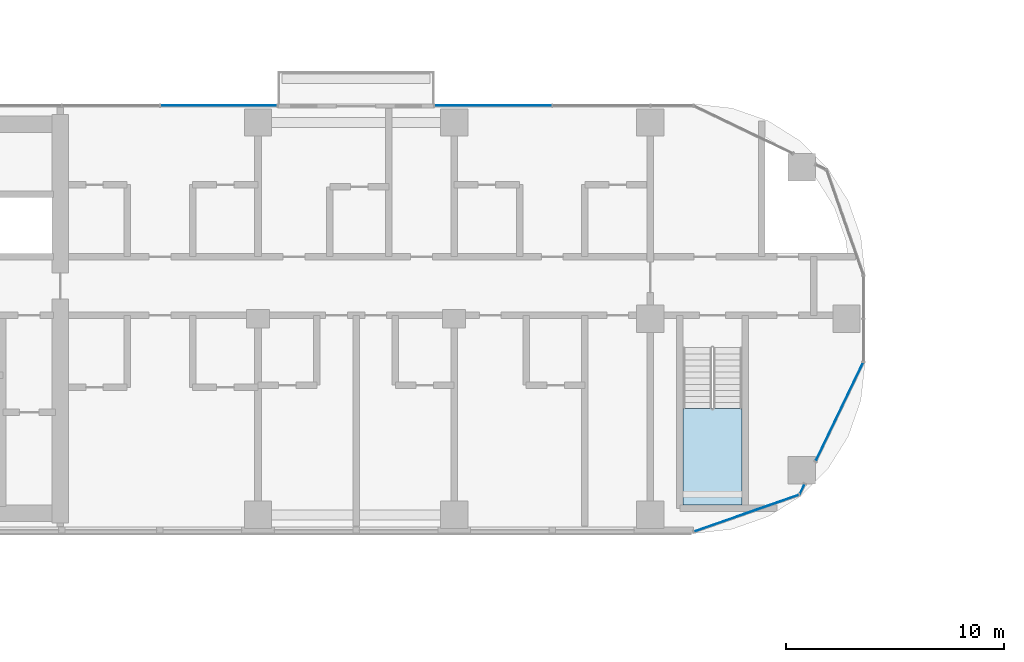
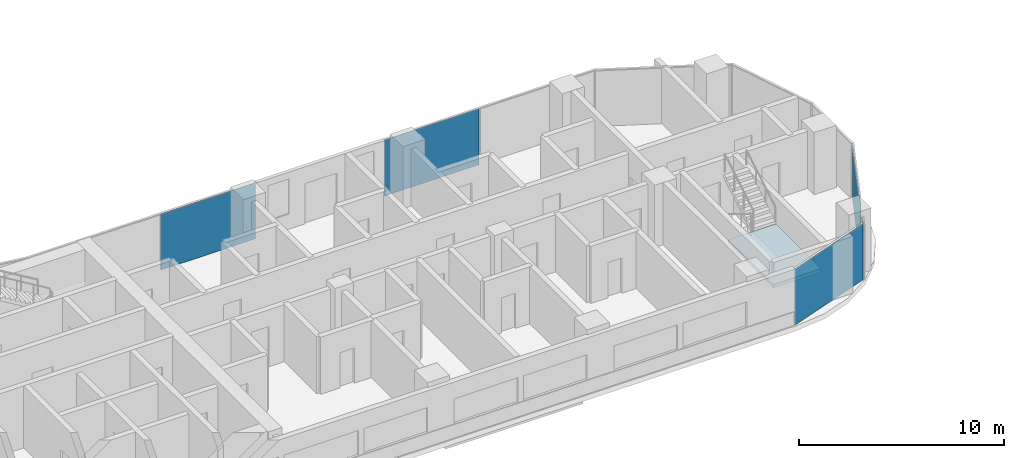
# One storey, part 13 of 35: 5 plates, 1 slab, 5 elements without a shape of their own.
"""IFC4 building model written with IfcOpenShell, lengths in metres."""

from ifc_helpers import new_model, si_unit, direction, frame, origin, origin_2d, place, context, subcontext, project, spatial, polyline, rectangle, outline, extrude, material, layer, layer_set, type_object, element, aggregate, save


model = new_model("IFC4")

# Units and contexts
model_context = context("Model", 3, precision=1e-05, world=origin(), true_north=direction((0.0, 1.0)))
body_context = subcontext(model_context, "Body", "Model", "MODEL_VIEW")
ifc_project = project(units=[si_unit("LENGTHUNIT", "METRE"), si_unit("AREAUNIT", "SQUARE_METRE"), si_unit("VOLUMEUNIT", "CUBIC_METRE"), si_unit("PLANEANGLEUNIT", "RADIAN"), si_unit("MASSUNIT", "GRAM", prefix="KILO")], contexts=[model_context])

# Site, building, storey
site_placement = place(None, origin())
site = spatial("IfcSite", under=ifc_project, at=site_placement, CompositionType="ELEMENT")
building_placement = place(site_placement, origin())
building = spatial("IfcBuilding", under=site, at=building_placement, Name="Ogive Portal Towers", CompositionType="ELEMENT")
storey_placement = place(building_placement, frame((0.0, 0.0, 90.800048828125)))
storey = spatial("IfcBuildingStorey", under=building, at=storey_placement, Name="L21", CompositionType="ELEMENT", Elevation=90.800048828125)

# Curtain wall, plate
ifc_material_1 = material(Name="Glass, clear low-iron insulated glazing", Category="glass")
curtain_wall_type = type_object("IfcCurtainWallType", Name="CW FRONT RIBBON 4500", PredefinedType="NOTDEFINED", material=ifc_material_1)
curtain_wall_1_placement = place(storey_placement, origin())
curtain_wall_1 = element("IfcCurtainWall", 1, at=curtain_wall_1_placement, inside=storey, type_object=curtain_wall_type, Name="A:L21:f11:cw0", PredefinedType="NOTDEFINED")
ifc_layer_1 = layer(ifc_material_1, 0.028076171875)
ifc_layer_set_1 = layer_set([ifc_layer_1], Name="CW PANEL IGU 28")
plate_type = type_object("IfcPlateType", Name="CW PANEL IGU 28", PredefinedType="CURTAIN_PANEL", material=ifc_layer_set_1)
plate_1_placement = place(storey_placement, frame((78.293212890625, 40.27490234375, 0.0), z_axis=(0.0, 0.0, 1.0), x_axis=(-1.0, 0.0, 0.0)))
plate_1 = element("IfcPlate", 2, at=plate_1_placement, type_object=plate_type, Name="panel", PredefinedType="CURTAIN_PANEL", context=body_context, shape_type="SweptSolid", body=[
    extrude(rectangle(XDim=5.353759765625, YDim=0.028076171875, at=origin_2d()), origin(), (0.0, 0.0, 1.0), 3.340087890625),
])
aggregate(curtain_wall_1, [plate_1])

curtain_wall_2_placement = place(storey_placement, origin())
curtain_wall_2 = element("IfcCurtainWall", 3, at=curtain_wall_2_placement, inside=storey, type_object=curtain_wall_type, Name="A:L21:f11:cw1", PredefinedType="NOTDEFINED")
plate_2_placement = place(storey_placement, frame((65.6943359375, 40.27490234375, 0.0), z_axis=(0.0, 0.0, 1.0), x_axis=(-1.0, 0.0, 0.0)))
plate_2 = element("IfcPlate", 4, at=plate_2_placement, type_object=plate_type, Name="panel", PredefinedType="CURTAIN_PANEL", context=body_context, shape_type="SweptSolid", body=[
    extrude(rectangle(XDim=5.328857421875, YDim=0.028076171875, at=origin_2d()), origin(), (0.0, 0.0, 1.0), 3.340087890625),
])
aggregate(curtain_wall_2, [plate_2])

# Curtain wall, plates
curtain_wall_3_placement = place(storey_placement, origin())
curtain_wall_3 = element("IfcCurtainWall", 5, at=curtain_wall_3_placement, inside=storey, type_object=curtain_wall_type, Name="A:L21:f06:cwa~0", PredefinedType="NOTDEFINED")
plate_3_placement = place(storey_placement, frame((89.9130859375, 21.57421875, 0.0), z_axis=(0.0, 0.0, 1.0), x_axis=(0.943883330307, 0.33027906196, 0.0)))
plate_3 = element("IfcPlate", 6, at=plate_3_placement, type_object=plate_type, Name="panel", PredefinedType="CURTAIN_PANEL", context=body_context, shape_type="SweptSolid", body=[
    extrude(rectangle(XDim=5.08203125, YDim=0.028076171875, at=origin_2d()), origin(), (0.0, 0.0, 1.0), 3.340087890625),
])
plate_4_placement = place(storey_placement, frame((92.460693359375, 22.674072265625, 0.0), z_axis=(0.0, 0.0, 1.0), x_axis=(0.433883739113, 0.900968867905, 0.0)))
plate_4 = element("IfcPlate", 7, at=plate_4_placement, type_object=plate_type, Name="panel", PredefinedType="CURTAIN_PANEL", context=body_context, shape_type="SweptSolid", body=[
    extrude(rectangle(XDim=0.496826171875, YDim=0.028076171875, at=origin_2d()), origin(), (0.0, 0.0, 1.0), 3.340087890625),
])
aggregate(curtain_wall_3, [plate_3, plate_4])

# Curtain wall, plate
curtain_wall_4_placement = place(storey_placement, origin())
curtain_wall_4 = element("IfcCurtainWall", 8, at=curtain_wall_4_placement, inside=storey, type_object=curtain_wall_type, Name="A:L21:f06:cwa~1", PredefinedType="NOTDEFINED")
plate_5_placement = place(storey_placement, frame((94.175048828125, 26.234130859375, 0.0), z_axis=(0.0, 0.0, 1.0), x_axis=(0.433883739113, 0.900968867905, 0.0)))
plate_5 = element("IfcPlate", 9, at=plate_5_placement, type_object=plate_type, Name="panel", PredefinedType="CURTAIN_PANEL", context=body_context, shape_type="SweptSolid", body=[
    extrude(rectangle(XDim=5.010498046875, YDim=0.028076171875, at=origin_2d()), origin(), (0.0, 0.0, 1.0), 3.340087890625),
])
aggregate(curtain_wall_4, [plate_5])

# Stair, slab
ifc_material_2 = material(Name="Concrete C40/50", Category="concrete")
stair_type = type_object("IfcStairType", Name="INT-STAIR", PredefinedType="HALF_TURN_STAIR", material=ifc_material_2)
stair_placement = place(storey_placement, origin())
stair = element("IfcStair", 10, at=stair_placement, inside=storey, type_object=stair_type, Name="L21 Exit Stair ST-A4", PredefinedType="HALF_TURN_STAIR")
ifc_layer_2 = layer(ifc_material_2, 0.199951171875)
ifc_layer_set_2 = layer_set([ifc_layer_2], Name="INT-LANDING")
slab_type = type_object("IfcSlabType", Name="INT-LANDING", PredefinedType="LANDING", material=ifc_layer_set_2)
slab_placement = place(storey_placement, frame((0.0, 0.0, 1.64990234375)))
slab = element("IfcSlab", 11, at=slab_placement, type_object=slab_type, Name="ST-A4 landing 1", PredefinedType="LANDING", context=body_context, shape_type="SweptSolid", body=[
    extrude(outline(polyline([(87.0, 26.3701171875), (87.0, 21.949951171875), (89.699951171875, 21.949951171875), (89.699951171875, 26.3701171875), (87.0, 26.3701171875)])), origin(), (0.0, 0.0, 1.0), 0.199951171875),
])
aggregate(stair, [slab])

save(model, "model.ifc")
